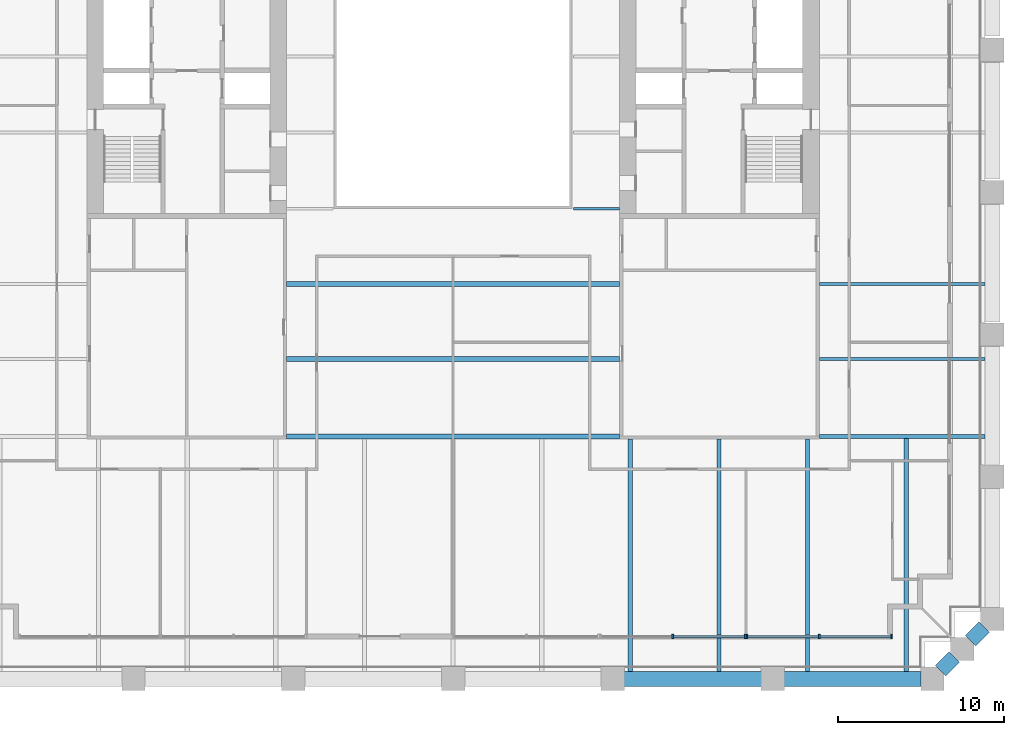
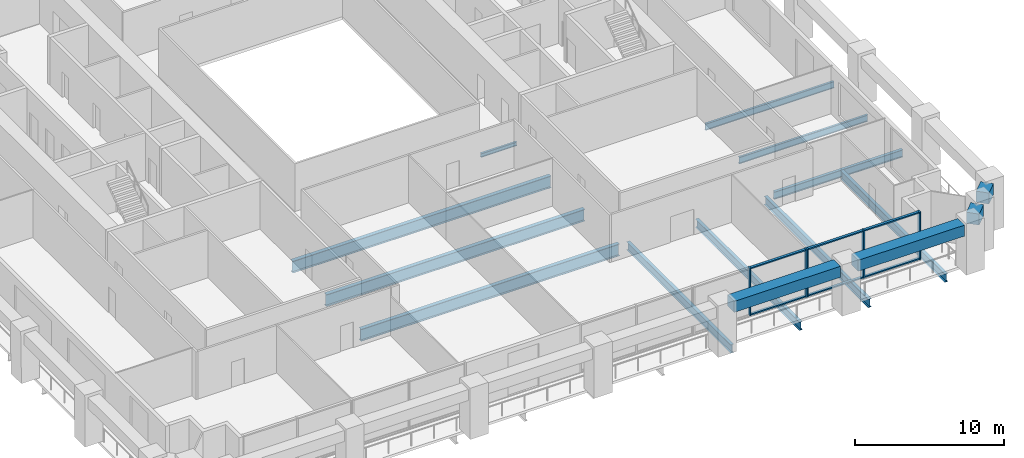
# One storey, part 3 of 11: 15 beams, 11 members, 2 elements without a shape of their own.
"""IFC4 building model written with IfcOpenShell, lengths in metres."""

from ifc_helpers import new_model, si_unit, direction, frame, origin, origin_2d, place, context, subcontext, project, spatial, rectangle, i_section, extrude, material, material_profile, profile_set, type_object, element, aggregate, save


model = new_model("IFC4")

# Units and contexts
model_context = context("Model", 3, precision=1e-05, world=origin(), true_north=direction((0.0, 1.0)))
body_context = subcontext(model_context, "Body", "Model", "MODEL_VIEW")
ifc_project = project(units=[si_unit("LENGTHUNIT", "METRE"), si_unit("AREAUNIT", "SQUARE_METRE"), si_unit("VOLUMEUNIT", "CUBIC_METRE"), si_unit("PLANEANGLEUNIT", "RADIAN"), si_unit("MASSUNIT", "GRAM", prefix="KILO")], contexts=[model_context])

# Site, building, storey
site_placement = place(None, origin())
site = spatial("IfcSite", under=ifc_project, at=site_placement, CompositionType="ELEMENT")
building_placement = place(site_placement, origin())
building = spatial("IfcBuilding", under=site, at=building_placement, Name="Ogive Exchange Tower", CompositionType="ELEMENT")
storey_placement = place(building_placement, frame((0.0, 0.0, 90.0)))
storey = spatial("IfcBuildingStorey", under=building, at=storey_placement, Name="L19", CompositionType="ELEMENT", Elevation=90.0)

# Curtain wall, members
ifc_material_1 = material(Name="Anodised aluminium and clear glass", Category="aluminium")
curtain_wall_type = type_object("IfcCurtainWallType", Name="Executive floor glazing", PredefinedType="NOTDEFINED", material=ifc_material_1)
curtain_wall_1_placement = place(storey_placement, origin())
curtain_wall_1 = element("IfcCurtainWall", 1, at=curtain_wall_1_placement, inside=storey, type_object=curtain_wall_type, Name="Executive floor glazing run G5", PredefinedType="NOTDEFINED")
ifc_material_2 = material(Name="Anodised aluminium", Category="aluminium")
ifc_material_profile_1 = material_profile(ifc_material_2, rectangle(XDim=0.280029296875, YDim=0.10009765625, at=origin_2d()), Name="AL 100x280")
ifc_profile_set_1 = profile_set([ifc_material_profile_1], Name="Anodised aluminium")
member_type_1 = type_object("IfcMemberType", Name="Executive floor glazing mullion 100 x 280", PredefinedType="MULLION", material=ifc_profile_set_1)
member_1_placement = place(storey_placement, frame((13.199951171875, -27.85009765625, 0.0), z_axis=(0.0, 0.0, 1.0), x_axis=(0.0, 1.0, 0.0)))
member_1 = element("IfcMember", 2, at=member_1_placement, type_object=member_type_1, Name="G5 mullion 2", PredefinedType="MULLION", context=body_context, shape_type="SweptSolid", body=[
    extrude(rectangle(XDim=0.280029296875, YDim=0.10009765625, at=origin_2d()), origin(), (0.0, 0.0, 1.0), 3.89990234375),
])
member_2_placement = place(storey_placement, frame((17.550048828125, -27.85009765625, 0.0), z_axis=(0.0, 0.0, 1.0), x_axis=(0.0, 1.0, 0.0)))
member_2 = element("IfcMember", 3, at=member_2_placement, type_object=member_type_1, Name="G5 mullion 3", PredefinedType="MULLION", context=body_context, shape_type="SweptSolid", body=[
    extrude(rectangle(XDim=0.280029296875, YDim=0.10009765625, at=origin_2d()), origin(), (0.0, 0.0, 1.0), 3.89990234375),
])

curtain_wall_2_placement = place(storey_placement, origin())
curtain_wall_2 = element("IfcCurtainWall", 4, at=curtain_wall_2_placement, inside=storey, type_object=curtain_wall_type, Name="Executive floor glazing run G6", PredefinedType="NOTDEFINED")
member_3_placement = place(storey_placement, frame((17.64990234375, -27.85009765625, 0.0), z_axis=(0.0, 0.0, 1.0), x_axis=(0.0, 1.0, 0.0)))
member_3 = element("IfcMember", 5, at=member_3_placement, type_object=member_type_1, Name="G6 mullion 1", PredefinedType="MULLION", context=body_context, shape_type="SweptSolid", body=[
    extrude(rectangle(XDim=0.280029296875, YDim=0.10009765625, at=origin_2d()), origin(), (0.0, 0.0, 1.0), 3.89990234375),
])
member_4_placement = place(storey_placement, frame((22.0, -27.85009765625, 0.0), z_axis=(0.0, 0.0, 1.0), x_axis=(0.0, 1.0, 0.0)))
member_4 = element("IfcMember", 6, at=member_4_placement, type_object=member_type_1, Name="G6 mullion 2", PredefinedType="MULLION", context=body_context, shape_type="SweptSolid", body=[
    extrude(rectangle(XDim=0.280029296875, YDim=0.10009765625, at=origin_2d()), origin(), (0.0, 0.0, 1.0), 3.89990234375),
])
member_5_placement = place(storey_placement, frame((26.35009765625, -27.85009765625, 0.0), z_axis=(0.0, 0.0, 1.0), x_axis=(0.0, 1.0, 0.0)))
member_5 = element("IfcMember", 7, at=member_5_placement, type_object=member_type_1, Name="G6 mullion 3", PredefinedType="MULLION", context=body_context, shape_type="SweptSolid", body=[
    extrude(rectangle(XDim=0.280029296875, YDim=0.10009765625, at=origin_2d()), origin(), (0.0, 0.0, 1.0), 3.89990234375),
])

# Member
ifc_material_profile_2 = material_profile(ifc_material_2, rectangle(XDim=0.199951171875, YDim=0.10009765625, at=origin_2d()), Name="AL 100x200")
ifc_profile_set_2 = profile_set([ifc_material_profile_2], Name="Anodised aluminium")
member_type_2 = type_object("IfcMemberType", Name="Executive floor glazing transom 100 x 200", PredefinedType="USERDEFINED", material=ifc_profile_set_2)
member_6_placement = place(storey_placement, frame((13.25, -27.85009765625, 0.050048828125), z_axis=(1.0, 0.0, 0.0), x_axis=(0.0, 1.0, 0.0)))
member_6 = element("IfcMember", 8, at=member_6_placement, type_object=member_type_2, Name="G5 transom 2.1", ObjectType="TRANSOM", PredefinedType="USERDEFINED", context=body_context, shape_type="SweptSolid", body=[
    extrude(rectangle(XDim=0.199951171875, YDim=0.10009765625, at=origin_2d()), origin(), (0.0, 0.0, 1.0), 4.25),
])

member_7_placement = place(storey_placement, frame((13.25, -27.85009765625, 3.85009765625), z_axis=(1.0, 0.0, 0.0), x_axis=(0.0, 1.0, 0.0)))
member_7 = element("IfcMember", 9, at=member_7_placement, type_object=member_type_2, Name="G5 transom 2.2", ObjectType="TRANSOM", PredefinedType="USERDEFINED", context=body_context, shape_type="SweptSolid", body=[
    extrude(rectangle(XDim=0.199951171875, YDim=0.10009765625, at=origin_2d()), origin(), (0.0, 0.0, 1.0), 4.25),
])

aggregate(curtain_wall_1, [member_1, member_2, member_6, member_7])

member_8_placement = place(storey_placement, frame((17.699951171875, -27.85009765625, 0.050048828125), z_axis=(1.0, 0.0, 0.0), x_axis=(0.0, 1.0, 0.0)))
member_8 = element("IfcMember", 10, at=member_8_placement, type_object=member_type_2, Name="G6 transom 1.1", ObjectType="TRANSOM", PredefinedType="USERDEFINED", context=body_context, shape_type="SweptSolid", body=[
    extrude(rectangle(XDim=0.199951171875, YDim=0.10009765625, at=origin_2d()), origin(), (0.0, 0.0, 1.0), 4.25),
])

member_9_placement = place(storey_placement, frame((17.699951171875, -27.85009765625, 3.85009765625), z_axis=(1.0, 0.0, 0.0), x_axis=(0.0, 1.0, 0.0)))
member_9 = element("IfcMember", 11, at=member_9_placement, type_object=member_type_2, Name="G6 transom 1.2", ObjectType="TRANSOM", PredefinedType="USERDEFINED", context=body_context, shape_type="SweptSolid", body=[
    extrude(rectangle(XDim=0.199951171875, YDim=0.10009765625, at=origin_2d()), origin(), (0.0, 0.0, 1.0), 4.25),
])

member_10_placement = place(storey_placement, frame((22.050048828125, -27.85009765625, 0.050048828125), z_axis=(1.0, 0.0, 0.0), x_axis=(0.0, 1.0, 0.0)))
member_10 = element("IfcMember", 12, at=member_10_placement, type_object=member_type_2, Name="G6 transom 2.1", ObjectType="TRANSOM", PredefinedType="USERDEFINED", context=body_context, shape_type="SweptSolid", body=[
    extrude(rectangle(XDim=0.199951171875, YDim=0.10009765625, at=origin_2d()), origin(), (0.0, 0.0, 1.0), 4.25),
])

member_11_placement = place(storey_placement, frame((22.050048828125, -27.85009765625, 3.85009765625), z_axis=(1.0, 0.0, 0.0), x_axis=(0.0, 1.0, 0.0)))
member_11 = element("IfcMember", 13, at=member_11_placement, type_object=member_type_2, Name="G6 transom 2.2", ObjectType="TRANSOM", PredefinedType="USERDEFINED", context=body_context, shape_type="SweptSolid", body=[
    extrude(rectangle(XDim=0.199951171875, YDim=0.10009765625, at=origin_2d()), origin(), (0.0, 0.0, 1.0), 4.25),
])

aggregate(curtain_wall_2, [member_3, member_4, member_5, member_8, member_9, member_10, member_11])

# Beams
ifc_material_3 = material(Name="Steel ASTM A992 Gr50", Category="steel")
ifc_material_profile_3 = material_profile(ifc_material_3, i_section(OverallWidth=0.300048828125, OverallDepth=0.969970703125, WebThickness=0.01611328125, FlangeThickness=0.02099609375, at=origin_2d()), Name="W1000x222")
ifc_profile_set_3 = profile_set([ifc_material_profile_3], Name="Steel ASTM A992 Gr50")
beam_type_1 = type_object("IfcBeamType", Name="Floor beam W1000x222", PredefinedType="JOIST", material=ifc_profile_set_3)
for number, where, z_axis, x_axis, name in (
    (14, (-10.0, -11.17822265625, -0.735107421875), (1.0, 0.0, 0.0), (0.0, 1.0, 0.0), "Floor beam"),
    (15, (-10.0, -6.666748046875, -0.735107421875), (1.0, 0.0, 0.0), (0.0, 1.0, 0.0), "Floor beam"),
):
    element("IfcBeam", number, at=place(storey_placement, frame(where, z_axis=z_axis, x_axis=x_axis)), inside=storey, type_object=beam_type_1, Name=name, PredefinedType="JOIST", context=body_context, shape_type="SweptSolid", body=[
        extrude(i_section(OverallWidth=0.300048828125, OverallDepth=0.969970703125, WebThickness=0.01611328125, FlangeThickness=0.02099609375, at=origin_2d()), origin(), (0.0, 0.0, 1.0), 20.0),
    ])
ifc_material_profile_4 = material_profile(ifc_material_3, i_section(OverallWidth=0.1669921875, OverallDepth=0.535888671875, WebThickness=0.01025390625, FlangeThickness=0.0166015625, at=origin_2d()), Name="W530x85")
ifc_profile_set_4 = profile_set([ifc_material_profile_4], Name="Steel ASTM A992 Gr50")
beam_type_2 = type_object("IfcBeamType", Name="Floor beam W530x85", PredefinedType="JOIST", material=ifc_profile_set_4)
for number, where, z_axis, x_axis, name in (
    (16, (22.0, -11.17822265625, -0.51806640625), (1.0, 0.0, 0.0), (0.0, 1.0, 0.0), "Floor beam"),
    (17, (22.0, -6.666748046875, -0.51806640625), (1.0, 0.0, 0.0), (0.0, 1.0, 0.0), "Floor beam"),
):
    element("IfcBeam", number, at=place(storey_placement, frame(where, z_axis=z_axis, x_axis=x_axis)), inside=storey, type_object=beam_type_2, Name=name, PredefinedType="JOIST", context=body_context, shape_type="SweptSolid", body=[
        extrude(i_section(OverallWidth=0.1669921875, OverallDepth=0.535888671875, WebThickness=0.01025390625, FlangeThickness=0.0166015625, at=origin_2d()), origin(), (0.0, 0.0, 1.0), 9.949951171875),
    ])
ifc_material_profile_5 = material_profile(ifc_material_3, i_section(OverallWidth=0.25390625, OverallDepth=0.677978515625, WebThickness=0.01171875, FlangeThickness=0.016357421875, at=origin_2d()), Name="W690x125")
ifc_profile_set_5 = profile_set([ifc_material_profile_5], Name="Steel ASTM A992 Gr50")
beam_type_3 = type_object("IfcBeamType", Name="Floor beam W690x125", PredefinedType="JOIST", material=ifc_profile_set_5)
for number, where, z_axis, x_axis, name in (
    (18, (10.64990234375, -29.949951171875, -0.589111328125), (0.0, 1.0, 0.0), (-1.0, 0.0, 0.0), "Floor beam"),
    (19, (15.97509765625, -29.949951171875, -0.589111328125), (0.0, 1.0, 0.0), (-1.0, 0.0, 0.0), "Floor beam"),
    (20, (21.300048828125, -29.949951171875, -0.589111328125), (0.0, 1.0, 0.0), (-1.0, 0.0, 0.0), "Floor beam"),
):
    element("IfcBeam", number, at=place(storey_placement, frame(where, z_axis=z_axis, x_axis=x_axis)), inside=storey, type_object=beam_type_3, Name=name, PredefinedType="JOIST", context=body_context, shape_type="SweptSolid", body=[
        extrude(i_section(OverallWidth=0.25390625, OverallDepth=0.677978515625, WebThickness=0.01171875, FlangeThickness=0.016357421875, at=origin_2d()), origin(), (0.0, 0.0, 1.0), 13.949951171875),
    ])
beam_1_placement = place(storey_placement, frame((27.22509765625, -29.949951171875, -0.589111328125), z_axis=(0.0, 1.0, 0.0), x_axis=(-1.0, 0.0, 0.0)))
element("IfcBeam", 21, at=beam_1_placement, inside=storey, type_object=beam_type_3, Name="Floor beam", PredefinedType="JOIST", context=body_context, shape_type="SweptSolid", body=[
    extrude(i_section(OverallWidth=0.25390625, OverallDepth=0.677978515625, WebThickness=0.01171875, FlangeThickness=0.016357421875, at=origin_2d()), origin(), (0.0, 0.0, 1.0), 13.990966796875),
])
ifc_material_profile_6 = material_profile(ifc_material_3, i_section(OverallWidth=0.300048828125, OverallDepth=0.97998046875, WebThickness=0.0166015625, FlangeThickness=0.026123046875, at=origin_2d()), Name="W1000x249")
ifc_profile_set_6 = profile_set([ifc_material_profile_6], Name="Steel ASTM A992 Gr50")
beam_type_4 = type_object("IfcBeamType", Name="Girder W1000x249", PredefinedType="BEAM", material=ifc_profile_set_6)
beam_2_placement = place(storey_placement, frame((-10.0, -15.844970703125, -0.739990234375), z_axis=(1.0, 0.0, 0.0), x_axis=(0.0, 1.0, 0.0)))
element("IfcBeam", 22, at=beam_2_placement, inside=storey, type_object=beam_type_4, Name="Header girder", PredefinedType="BEAM", context=body_context, shape_type="SweptSolid", body=[
    extrude(i_section(OverallWidth=0.300048828125, OverallDepth=0.97998046875, WebThickness=0.0166015625, FlangeThickness=0.026123046875, at=origin_2d()), origin(), (0.0, 0.0, 1.0), 20.0),
])
ifc_material_profile_7 = material_profile(ifc_material_3, i_section(OverallWidth=0.1650390625, OverallDepth=0.31005859375, WebThickness=0.005859375, FlangeThickness=0.009765625, at=origin_2d()), Name="W310x38.7")
ifc_profile_set_7 = profile_set([ifc_material_profile_7], Name="Steel ASTM A992 Gr50")
beam_type_5 = type_object("IfcBeamType", Name="Girder W310x38.7", PredefinedType="BEAM", material=ifc_profile_set_7)
beam_3_placement = place(storey_placement, frame((7.219970703125, -2.155029296875, -0.405029296875), z_axis=(1.0, 0.0, 0.0), x_axis=(0.0, 1.0, 0.0)))
element("IfcBeam", 23, at=beam_3_placement, inside=storey, type_object=beam_type_5, Name="Trimmer girder", PredefinedType="BEAM", context=body_context, shape_type="SweptSolid", body=[
    extrude(i_section(OverallWidth=0.1650390625, OverallDepth=0.31005859375, WebThickness=0.005859375, FlangeThickness=0.009765625, at=origin_2d()), origin(), (0.0, 0.0, 1.0), 2.780029296875),
])
ifc_material_profile_8 = material_profile(ifc_material_3, i_section(OverallWidth=0.22802734375, OverallDepth=0.60205078125, WebThickness=0.010498046875, FlangeThickness=0.014892578125, at=origin_2d()), Name="W610x101")
ifc_profile_set_8 = profile_set([ifc_material_profile_8], Name="Steel ASTM A992 Gr50")
beam_type_6 = type_object("IfcBeamType", Name="Girder W610x101", PredefinedType="BEAM", material=ifc_profile_set_8)
beam_4_placement = place(storey_placement, frame((22.0, -15.844970703125, -0.551025390625), z_axis=(1.0, 0.0, 0.0), x_axis=(0.0, 1.0, 0.0)))
element("IfcBeam", 24, at=beam_4_placement, inside=storey, type_object=beam_type_6, Name="Header girder", PredefinedType="BEAM", context=body_context, shape_type="SweptSolid", body=[
    extrude(i_section(OverallWidth=0.22802734375, OverallDepth=0.60205078125, WebThickness=0.010498046875, FlangeThickness=0.014892578125, at=origin_2d()), origin(), (0.0, 0.0, 1.0), 9.949951171875),
])
ifc_material_4 = material(Name="Precast concrete C70/85 (limestone faced)", Category="masonry")
ifc_material_profile_9 = material_profile(ifc_material_4, rectangle(XDim=0.89990234375, YDim=0.89990234375, at=origin_2d()), Name="900 x 900")
ifc_profile_set_9 = profile_set([ifc_material_profile_9], Name="Precast concrete C70/85 (limestone faced)")
beam_type_7 = type_object("IfcBeamType", Name="Precast spandrel 900 x 900 C70/85", PredefinedType="SPANDREL", material=ifc_profile_set_9)
beam_5_placement = place(storey_placement, frame((10.280029296875, -30.39990234375, 3.5), z_axis=(1.0, 0.0, 0.0), x_axis=(0.0, 1.0, 0.0)))
element("IfcBeam", 25, at=beam_5_placement, inside=storey, type_object=beam_type_7, Name="Spandrel 5", PredefinedType="SPANDREL", context=body_context, shape_type="SweptSolid", body=[
    extrude(rectangle(XDim=0.89990234375, YDim=0.89990234375, at=origin_2d()), origin(), (0.0, 0.0, 1.0), 8.239990234375),
])
beam_6_placement = place(storey_placement, frame((19.8798828125, -30.39990234375, 3.5), z_axis=(1.0, 0.0, 0.0), x_axis=(0.0, 1.0, 0.0)))
element("IfcBeam", 26, at=beam_6_placement, inside=storey, type_object=beam_type_7, Name="Spandrel 6", PredefinedType="SPANDREL", context=body_context, shape_type="SweptSolid", body=[
    extrude(rectangle(XDim=0.89990234375, YDim=0.89990234375, at=origin_2d()), origin(), (0.0, 0.0, 1.0), 8.240234375),
])
for number, where, z_axis, x_axis, name in (
    (27, (29.287841796875, -29.912109375, 3.5), (0.707106781187, 0.707106781187, 0.0), (-0.707106781187, 0.707106781187, 0.0), "Spandrel 7"),
    (28, (31.087890625, -28.112060546875, 3.5), (0.707106781187, 0.707106781187, 0.0), (-0.707106781187, 0.707106781187, 0.0), "Spandrel 8"),
):
    element("IfcBeam", number, at=place(storey_placement, frame(where, z_axis=z_axis, x_axis=x_axis)), inside=storey, type_object=beam_type_7, Name=name, PredefinedType="SPANDREL", context=body_context, shape_type="SweptSolid", body=[
        extrude(rectangle(XDim=0.89990234375, YDim=0.89990234375, at=origin_2d()), origin(), (0.0, 0.0, 1.0), 1.16552734375),
    ])

save(model, "model.ifc")
